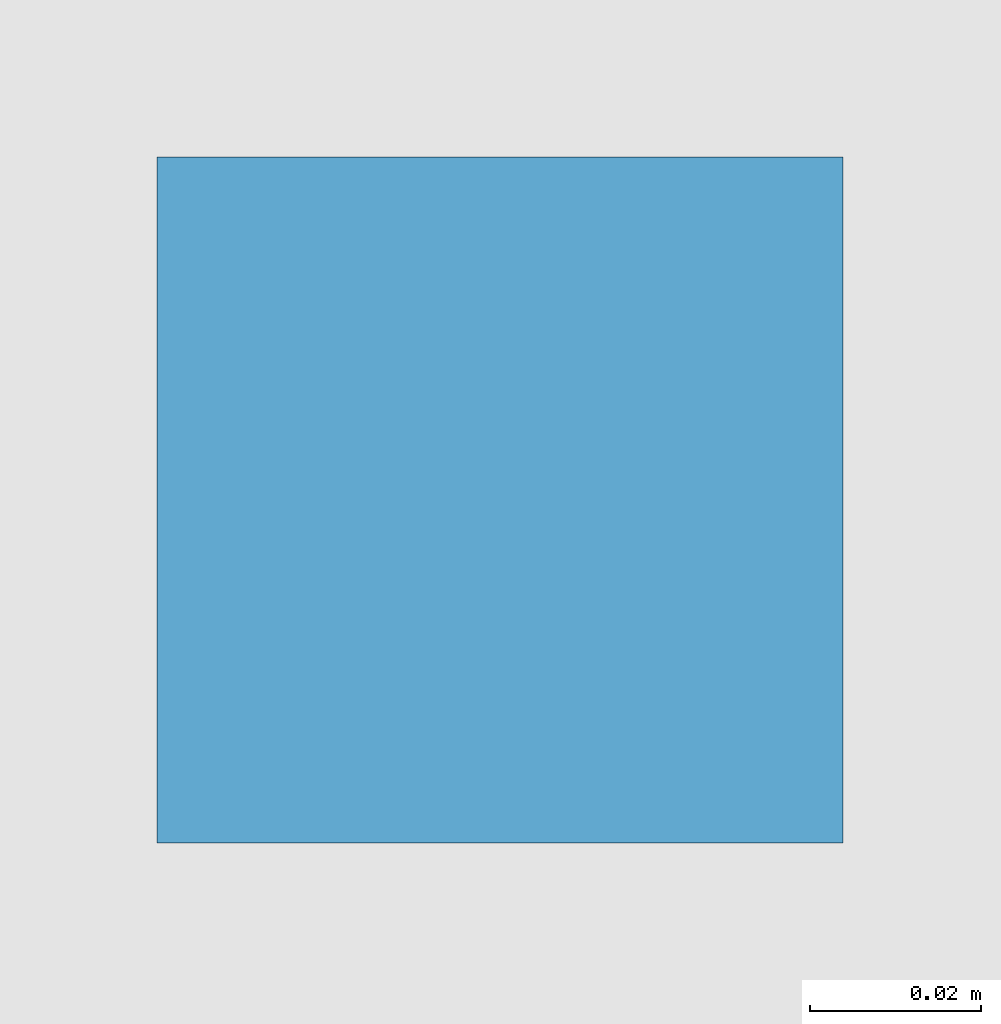
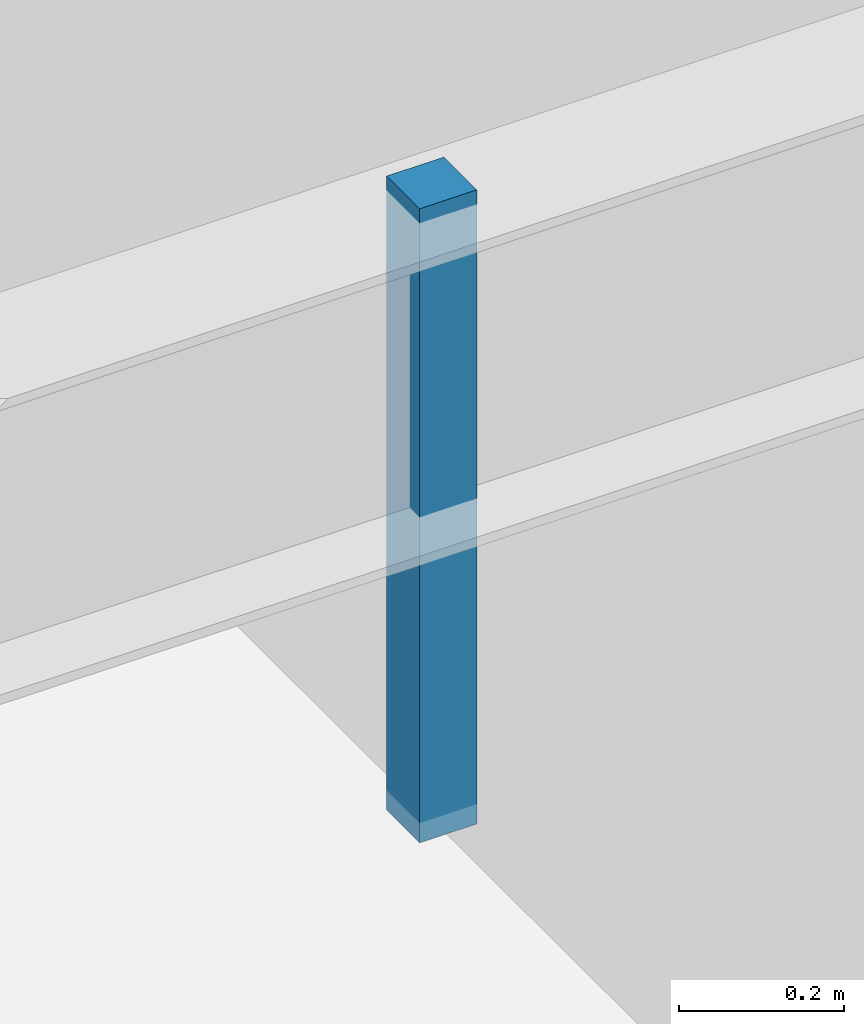
# One storey, part 13 of 18: 1 discrete accessory.
"""IFC4 building model written with IfcOpenShell, lengths in metres."""

import ifcopenshell
import ifcopenshell.guid

model = None  # the IFC model being written
_history = None  # IfcOwnerHistory: only IFC2X3 demands one
_inside = {}  # id of a spatial element -> (the spatial element, [elements in it])
_under = {}  # id of a project, library or spatial element -> (it, [spatial elements below it])
_declared = {}  # id of a project -> (the project, [libraries it declares])
_typed = {}  # id of a type object -> (the type object, [elements of that type])
_made_of = {}  # id of a material, layer set ... -> (it, [elements and type objects made of it])


def new_model(schema):
    """Start an empty IFC model of exactly this schema.

    Asked for "IFC4X3", IfcOpenShell would pick the latest addendum, in which some entities
    have other attributes; the version numbers below select the first issue.
    IFC2X3 requires an IfcOwnerHistory on every rooted entity: one is made here for all.
    """
    global model, _history
    if schema == "IFC4X3":
        model = ifcopenshell.file(schema_version=(4, 3, 0, 0))
    else:
        model = ifcopenshell.file(schema=schema)
    _inside.clear()
    _under.clear()
    _declared.clear()
    _typed.clear()
    _made_of.clear()
    _history = None
    if model.schema == "IFC2X3":
        org = make("IfcOrganization", Name="unknown")
        user = make(
            "IfcPersonAndOrganization",
            ThePerson=make("IfcPerson", FamilyName="unknown"),
            TheOrganization=org,
        )
        app = make(
            "IfcApplication",
            ApplicationDeveloper=org,
            Version="unknown",
            ApplicationFullName="unknown",
            ApplicationIdentifier="unknown",
        )
        _history = make(
            "IfcOwnerHistory",
            OwningUser=user,
            OwningApplication=app,
            ChangeAction="ADDED",
            CreationDate=0,
        )
    return model


def make(cls, **values):
    """One entity of the class cls with the attributes given. An attribute that is None is left unset."""
    return model.create_entity(
        cls, **{name: value for name, value in values.items() if value is not None}
    )


def rooted(cls, **values):
    """An entity with a GlobalId (a new one), such as an element, a storey or a relation."""
    return make(cls, GlobalId=ifcopenshell.guid.new(), OwnerHistory=_history, **values)


def si_unit(unit_type, name, prefix=None):
    """IfcSIUnit, for example si_unit("LENGTHUNIT", "METRE", prefix="MILLI")."""
    return make("IfcSIUnit", UnitType=unit_type, Prefix=prefix, Name=name)


def assignment(units):
    """IfcUnitAssignment: the units of a project."""
    return None if units is None else make("IfcUnitAssignment", Units=units)


def point(xyz):
    """IfcCartesianPoint."""
    return None if xyz is None else make("IfcCartesianPoint", Coordinates=xyz)


def direction(xyz):
    """IfcDirection."""
    return None if xyz is None else make("IfcDirection", DirectionRatios=xyz)


def frame(location, z_axis=None, x_axis=None):
    """IfcAxis2Placement3D, a coordinate frame: its origin and axes. An axis left out is left unset."""
    return make(
        "IfcAxis2Placement3D",
        Location=point(location),
        Axis=direction(z_axis),
        RefDirection=direction(x_axis),
    )


def frame_2d(location, x_axis=None):
    """IfcAxis2Placement2D, a coordinate frame in the plane: its origin and x axis."""
    return make(
        "IfcAxis2Placement2D", Location=point(location), RefDirection=direction(x_axis)
    )


def origin():
    """The frame at (0, 0, 0) with its axes left unset."""
    return frame((0.0, 0.0, 0.0))


def origin_2d():
    """The frame at (0, 0) in the plane with its x axis left unset."""
    return frame_2d((0.0, 0.0))


def place(relative_to, where):
    """IfcLocalPlacement: puts the frame where relative to a parent placement (None: the world)."""
    return make(
        "IfcLocalPlacement", PlacementRelTo=relative_to, RelativePlacement=where
    )


def context(
    kind, dimensions, precision=None, world=None, true_north=None, identifier=None
):
    """IfcGeometricRepresentationContext, for example the 3D "Model" context."""
    return make(
        "IfcGeometricRepresentationContext",
        ContextIdentifier=identifier,
        ContextType=kind,
        CoordinateSpaceDimension=dimensions,
        Precision=precision,
        WorldCoordinateSystem=world,
        TrueNorth=true_north,
    )


def subcontext(parent, identifier, kind, view, scale=None):
    """IfcGeometricRepresentationSubContext, for example "Body" below "Model"."""
    return make(
        "IfcGeometricRepresentationSubContext",
        ContextIdentifier=identifier,
        ContextType=kind,
        ParentContext=parent,
        TargetScale=scale,
        TargetView=view,
    )


def project(units=None, contexts=None):
    """IfcProject with its units and contexts."""
    return rooted(
        "IfcProject",
        Name="project",
        RepresentationContexts=contexts,
        UnitsInContext=assignment(units),
    )


def spatial(cls, under=None, at=None, **own):
    """A site, building, storey or space (cls), placed at a placement, below another one or the project."""
    s = rooted(cls, ObjectPlacement=at, **own)
    if under is not None:
        _under.setdefault(under.id(), (under, []))[1].append(s)
    return s


def profile(cls, at=None, kind="AREA", **sizes):
    """A parametric profile (cls). Its sizes go by their IFC names, for example OverallWidth=200.0."""
    return make(cls, ProfileType=kind, Position=at, **sizes)


def rectangle(**sizes):
    """IfcRectangleProfileDef."""
    return profile("IfcRectangleProfileDef", **sizes)


def extrude(swept, where, along, depth):
    """IfcExtrudedAreaSolid: the profile swept, set in the frame where, extruded along a direction by depth."""
    return make(
        "IfcExtrudedAreaSolid",
        SweptArea=swept,
        Position=where,
        ExtrudedDirection=direction(along),
        Depth=depth,
    )


def shape(context_of_items, identifier, shape_type, items):
    """IfcShapeRepresentation: the items that make up one representation, for example the "Body"."""
    return make(
        "IfcShapeRepresentation",
        ContextOfItems=context_of_items,
        RepresentationIdentifier=identifier,
        RepresentationType=shape_type,
        Items=items,
    )


def source(mapping_origin, context_of_items, identifier, shape_type, items):
    """IfcRepresentationMap: a shape defined once, which mapped items show again and again."""
    return make(
        "IfcRepresentationMap",
        MappingOrigin=mapping_origin,
        MappedRepresentation=shape(context_of_items, identifier, shape_type, items),
    )


def transform(
    local_origin,
    x_axis=None,
    y_axis=None,
    z_axis=None,
    scale=None,
    scale2=None,
    scale3=None,
    uniform=True,
):
    """IfcCartesianTransformationOperator3D, or its non-uniform kind. x_axis, y_axis, z_axis: its Axis1, 2, 3."""
    if uniform:
        return make(
            "IfcCartesianTransformationOperator3D",
            Axis1=direction(x_axis),
            Axis2=direction(y_axis),
            LocalOrigin=point(local_origin),
            Scale=scale,
            Axis3=direction(z_axis),
        )
    return make(
        "IfcCartesianTransformationOperator3DnonUniform",
        Axis1=direction(x_axis),
        Axis2=direction(y_axis),
        LocalOrigin=point(local_origin),
        Scale=scale,
        Axis3=direction(z_axis),
        Scale2=scale2,
        Scale3=scale3,
    )


def mapped(mapping_source, mapping_target):
    """IfcMappedItem: shows the shape of a source again, moved by a transform."""
    return make(
        "IfcMappedItem", MappingSource=mapping_source, MappingTarget=mapping_target
    )


def material(Name=None, Category=None):
    """IfcMaterial."""
    return make("IfcMaterial", Name=Name, Category=Category)


def made_of(thing, what):
    """Note that an element or type object is made of a material, layer set ...; save() writes the relation."""
    if what is not None:
        _made_of.setdefault(what.id(), (what, []))[1].append(thing)
    return thing


def type_object(cls, material=None, **own):
    """A type object (cls), such as IfcWallType, which elements share."""
    return made_of(rooted(cls, **own), material)


def element(
    cls,
    number,
    at=None,
    inside=None,
    cuts=None,
    type_object=None,
    material=None,
    context=None,
    identifier="Body",
    shape_type=None,
    held_by="IfcProductDefinitionShape",
    body=None,
    shapes=None,
    **own,
):
    """One element of the class cls, such as IfcWall. Its Tag is "e" and its number.

    at: its placement. inside: the storey or other place that contains it. cuts: it is an
    opening in that element (IfcRelVoidsElement). A single representation is given by context,
    identifier, shape_type and body (its items); several are given by shapes. held_by: the class
    of the entity that holds the representations. save() writes the other relations.
    """
    e = rooted(cls, Tag="e%d" % number, ObjectPlacement=at, **own)
    if body is not None:
        shapes = [shape(context, identifier, shape_type, body)]
    if shapes is not None:
        e.Representation = make(held_by, Representations=shapes)
    if inside is not None:
        _inside.setdefault(inside.id(), (inside, []))[1].append(e)
    if cuts is not None:
        rooted(
            "IfcRelVoidsElement", RelatingBuildingElement=cuts, RelatedOpeningElement=e
        )
    if type_object is not None:
        _typed.setdefault(type_object.id(), (type_object, []))[1].append(e)
    return made_of(e, material)


def aggregate(whole, parts):
    """IfcRelAggregates: a whole, such as a stair, and the parts it consists of."""
    return rooted("IfcRelAggregates", RelatingObject=whole, RelatedObjects=parts)


def save(model, path):
    """Write the relations noted so far, then the file.

    IfcRelAggregates (storeys below a building ...), IfcRelContainedInSpatialStructure (elements
    in a storey), IfcRelDefinesByType, IfcRelAssociatesMaterial and IfcRelDeclares: one each for
    every whole, place, type object, material and project.
    """
    for whole, parts in _under.values():
        aggregate(whole, parts)
    for where, things in _inside.values():
        rooted(
            "IfcRelContainedInSpatialStructure",
            RelatedElements=things,
            RelatingStructure=where,
        )
    for kind, things in _typed.values():
        rooted("IfcRelDefinesByType", RelatedObjects=things, RelatingType=kind)
    for what, things in _made_of.values():
        rooted("IfcRelAssociatesMaterial", RelatedObjects=things, RelatingMaterial=what)
    for by, libraries in _declared.values():
        rooted("IfcRelDeclares", RelatingContext=by, RelatedDefinitions=libraries)
    model.write(path)


model = new_model("IFC4")

# Units and contexts
model_context = context("Model", 3, precision=1e-05, world=origin(), true_north=direction((0.0, 1.0)))
body_context = subcontext(model_context, "Body", "Model", "MODEL_VIEW")
ifc_project = project(units=[si_unit("LENGTHUNIT", "METRE"), si_unit("AREAUNIT", "SQUARE_METRE"), si_unit("VOLUMEUNIT", "CUBIC_METRE"), si_unit("PLANEANGLEUNIT", "RADIAN"), si_unit("MASSUNIT", "GRAM", prefix="KILO")], contexts=[model_context])

# Site, building, storey
site_placement = place(None, origin())
site = spatial("IfcSite", under=ifc_project, at=site_placement, CompositionType="ELEMENT")
building_placement = place(site_placement, origin())
building = spatial("IfcBuilding", under=site, at=building_placement, Name="Giltprow Tower", CompositionType="ELEMENT")
storey_placement = place(building_placement, frame((0.0, 0.0, 68.89990234375)))
storey = spatial("IfcBuildingStorey", under=building, at=storey_placement, Name="L17", CompositionType="ELEMENT", Elevation=68.89990234375)

# Discrete accessory
ifc_material = material(Name="Structural steel Q355B", Category="steel")
discrete_accessory_type = type_object("IfcDiscreteAccessoryType", Name="ACC-CLG-HANGER", PredefinedType="BRACKET", material=ifc_material)
shared_shape = source(origin(), body_context, "Body", "SweptSolid", [
    extrude(rectangle(XDim=0.080078125, YDim=0.080078125, at=origin_2d()), origin(), (0.0, 0.0, 1.0), 0.93994140625),
])
discrete_accessory_placement = place(storey_placement, frame((25.39990234375, 19.154052734375, 2.72021484375), z_axis=(0.0, 0.0, 1.0), x_axis=(1.0, 0.0, 0.0)))
element("IfcDiscreteAccessory", 1, at=discrete_accessory_placement, inside=storey, type_object=discrete_accessory_type, Name="L17 Office Acoustic Ceiling Suspension Hanger", PredefinedType="BRACKET", context=body_context, shape_type="MappedRepresentation", body=[
    mapped(shared_shape, transform((0.0, 0.0, 0.0), x_axis=(1.0, 0.0, 0.0), y_axis=(0.0, 1.0, 0.0), z_axis=(0.0, 0.0, 1.0), scale=1.0)),
])

save(model, "model.ifc")
